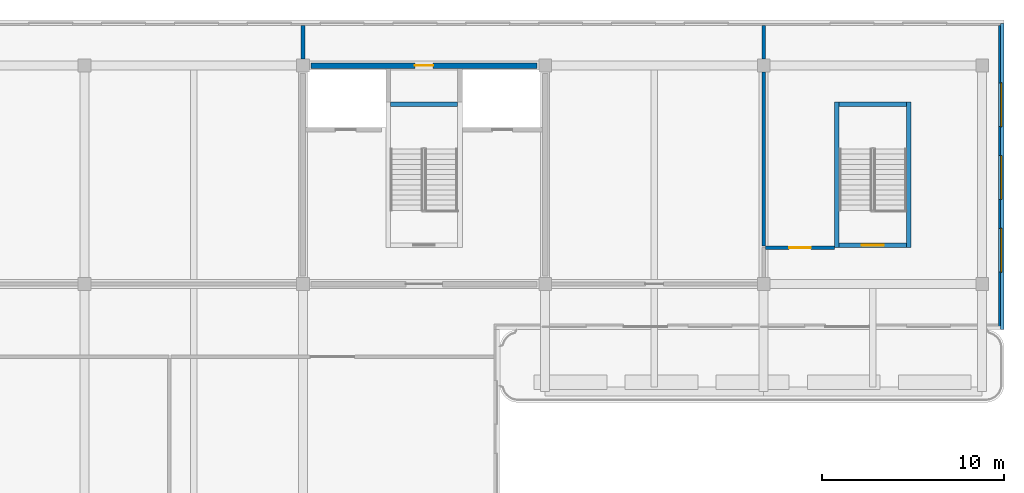
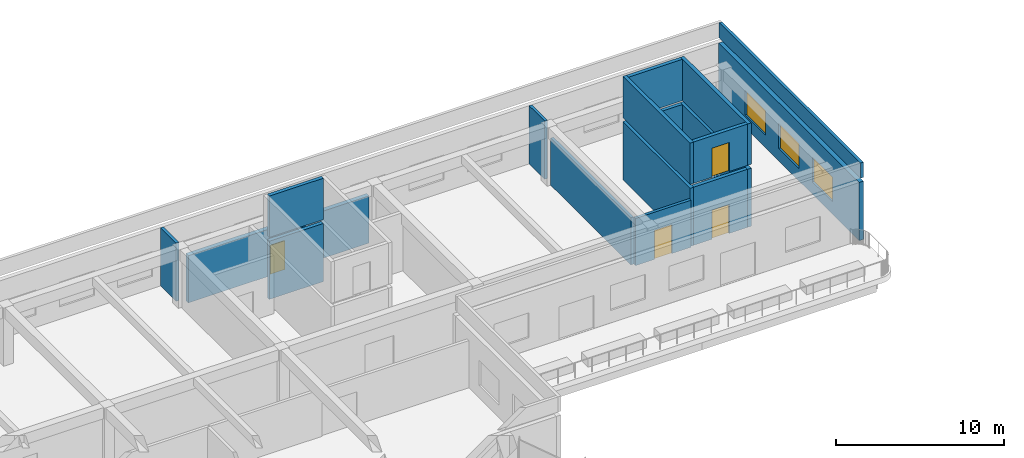
# One storey, part 25 of 35: 17 walls, 4 doors, 3 windows, 7 openings.
"""IFC4 building model written with IfcOpenShell, lengths in metres."""

from ifc_helpers import new_model, si_unit, direction, frame, frame_2d, origin, place, context, subcontext, project, spatial, rectangle, extrude, source, transform, mapped, material, layer, layer_set, type_object, element, fill, save


model = new_model("IFC4")

# Units and contexts
model_context = context("Model", 3, precision=1e-05, world=origin(), true_north=direction((0.0, 1.0)))
body_context = subcontext(model_context, "Body", "Model", "MODEL_VIEW")
ifc_project = project(units=[si_unit("LENGTHUNIT", "METRE"), si_unit("AREAUNIT", "SQUARE_METRE"), si_unit("VOLUMEUNIT", "CUBIC_METRE"), si_unit("PLANEANGLEUNIT", "RADIAN"), si_unit("MASSUNIT", "GRAM", prefix="KILO")], contexts=[model_context])

# Site, building, storey
site_placement = place(None, origin())
site = spatial("IfcSite", under=ifc_project, at=site_placement, CompositionType="ELEMENT")
building_placement = place(site_placement, origin())
building = spatial("IfcBuilding", under=site, at=building_placement, Name="Kilnfold Tower and Market Hall", CompositionType="ELEMENT")
storey_placement = place(building_placement, frame((0.0, 0.0, 22.5)))
storey = spatial("IfcBuildingStorey", under=building, at=storey_placement, Name="L04", CompositionType="ELEMENT", Elevation=22.5)

# Wall, opening, door
ifc_material_1 = material(Name="Concrete C50/60", Category="concrete")
ifc_layer_1 = layer(ifc_material_1, 0.25)
ifc_layer_set_1 = layer_set([ifc_layer_1], Name="Concrete C50/60")
wall_type_1 = type_object("IfcWallType", Name="HALL CORE WALL 250", PredefinedType="SHEAR", material=ifc_layer_set_1)
shared_shape_1 = source(origin(), body_context, "Body", "SweptSolid", [
    extrude(rectangle(XDim=3.699951171875, YDim=0.25, at=frame_2d((1.85009765625, 0.0))), origin(), (0.0, 0.0, 1.0), 4.219970703125),
])
wall_1_placement = place(storey_placement, frame((46.800048828125, 44.77490234375, 0.0), z_axis=(0.0, 0.0, 1.0), x_axis=(1.0, 0.0, 0.0)))
wall_1 = element("IfcWall", 1, at=wall_1_placement, inside=storey, type_object=wall_type_1, Name="Core wall MS6", PredefinedType="SHEAR", context=body_context, shape_type="MappedRepresentation", body=[
    mapped(shared_shape_1, transform((0.0, 0.0, 0.0))),
])
opening_1_placement = place(wall_1_placement, frame((1.25, 0.0, 0.0)))
opening_1 = element("IfcOpeningElement", 2, at=opening_1_placement, cuts=wall_1, Name="Opening MD9-60", PredefinedType="OPENING", context=body_context, shape_type="SweptSolid", body=[
    extrude(rectangle(XDim=1.199951171875, YDim=2.10009765625, at=frame_2d((0.60009765625, 1.050048828125))), frame((0.0, 0.135009765625, 0.0), z_axis=(0.0, -1.0, 0.0), x_axis=(1.0, 0.0, 0.0)), (0.0, 0.0, 1.0), 0.27001953125),
])
ifc_material_2 = material(Name="Steel S355", Category="steel")
door_type_1 = type_object("IfcDoorType", Name="HALL DOOR STAIR 1200X2100 FD60", OperationType="NOTDEFINED", PredefinedType="DOOR", material=ifc_material_2)
door_1_placement = place(opening_1_placement, origin())
door_1 = element("IfcDoor", 3, at=door_1_placement, inside=storey, type_object=door_type_1, Name="Door MD9-60", OperationType="DOUBLE_DOOR_SINGLE_SWING", OverallHeight=2.10009765625, OverallWidth=1.199951171875, PredefinedType="DOOR", context=body_context, shape_type="SweptSolid", body=[
    extrude(rectangle(XDim=1.199951171875, YDim=2.10009765625, at=frame_2d((0.60009765625, 1.050048828125))), frame((0.0, 0.02490234375, 0.0), z_axis=(0.0, -1.0, 0.0), x_axis=(1.0, 0.0, 0.0)), (0.0, 0.0, 1.0), 0.050048828125),
])
fill(opening_1, door_1)

# Walls
wall_2_placement = place(storey_placement, frame((46.800048828125, 52.52490234375, 0.0), z_axis=(0.0, 0.0, 1.0), x_axis=(1.0, 0.0, 0.0)))
element("IfcWall", 4, at=wall_2_placement, inside=storey, type_object=wall_type_1, Name="Core wall MS6", PredefinedType="SHEAR", context=body_context, shape_type="MappedRepresentation", body=[
    mapped(shared_shape_1, transform((0.0, 0.0, 0.0))),
])
shared_shape_2 = source(origin(), body_context, "Body", "SweptSolid", [
    extrude(rectangle(XDim=3.7001953125, YDim=0.25, at=frame_2d((1.85009765625, 0.0))), origin(), (0.0, 0.0, 1.0), 4.219970703125),
])
wall_3_placement = place(storey_placement, frame((25.85009765625, 52.52490234375, 0.0), z_axis=(0.0, 0.0, 1.0), x_axis=(-1.0, 0.0, 0.0)))
element("IfcWall", 5, at=wall_3_placement, inside=storey, type_object=wall_type_1, Name="Core wall MH3", PredefinedType="SHEAR", context=body_context, shape_type="MappedRepresentation", body=[
    mapped(shared_shape_2, transform((0.0, 0.0, 0.0))),
])
shared_shape_3 = source(origin(), body_context, "Body", "SweptSolid", [
    extrude(rectangle(XDim=8.0, YDim=0.25, at=frame_2d((4.0, 0.0))), origin(), (0.0, 0.0, 1.0), 4.219970703125),
])
for number, where, z_axis, x_axis, name in (
    (6, (46.675048828125, 44.64990234375, 0.0), (0.0, 0.0, 1.0), (0.0, 1.0, 0.0), "Core wall MS6"),
    (7, (50.625, 44.64990234375, 0.0), (0.0, 0.0, 1.0), (0.0, 1.0, 0.0), "Core wall MS6"),
):
    element("IfcWall", number, at=place(storey_placement, frame(where, z_axis=z_axis, x_axis=x_axis)), inside=storey, type_object=wall_type_1, Name=name, PredefinedType="SHEAR", context=body_context, shape_type="MappedRepresentation", body=[
        mapped(shared_shape_3, transform((0.0, 0.0, 0.0))),
    ])

# Wall, opening, door
ifc_material_3 = material(Name="Concrete C50/60", Category="concrete")
ifc_layer_2 = layer(ifc_material_3, 0.300048828125)
ifc_layer_set_2 = layer_set([ifc_layer_2], Name="Concrete C50/60")
wall_type_2 = type_object("IfcWallType", Name="HALL CORE WALL 300", PredefinedType="SHEAR", material=ifc_layer_set_2)
shared_shape_4 = source(origin(), body_context, "Body", "SweptSolid", [
    extrude(rectangle(XDim=12.39990234375, YDim=0.300048828125, at=frame_2d((6.199951171875, 0.0))), origin(), (0.0, 0.0, 1.0), 3.419921875),
])
wall_4_placement = place(storey_placement, frame((30.199951171875, 54.64990234375, 0.0), z_axis=(0.0, 0.0, 1.0), x_axis=(-1.0, 0.0, 0.0)))
wall_4 = element("IfcWall", 8, at=wall_4_placement, inside=storey, type_object=wall_type_2, Name="Core wall MH3", PredefinedType="SHEAR", context=body_context, shape_type="MappedRepresentation", body=[
    mapped(shared_shape_4, transform((0.0, 0.0, 0.0))),
])
opening_2_placement = place(wall_4_placement, frame((5.699951171875, 0.0, 0.0)))
opening_2 = element("IfcOpeningElement", 9, at=opening_2_placement, cuts=wall_4, Name="Opening MD4-60", PredefinedType="OPENING", context=body_context, shape_type="SweptSolid", body=[
    extrude(rectangle(XDim=1.0, YDim=2.10009765625, at=frame_2d((0.5, 1.050048828125))), frame((0.0, 0.16015625, 0.0), z_axis=(0.0, -1.0, 0.0), x_axis=(1.0, 0.0, 0.0)), (0.0, 0.0, 1.0), 0.320068359375),
])
ifc_material_4 = material(Name="Steel S355", Category="steel")
door_type_2 = type_object("IfcDoorType", Name="HALL DOOR RISER 1000X2100 FD60", OperationType="NOTDEFINED", PredefinedType="DOOR", material=ifc_material_4)
door_2_placement = place(opening_2_placement, origin())
door_2 = element("IfcDoor", 10, at=door_2_placement, inside=storey, type_object=door_type_2, Name="Door MD4-60", OperationType="SINGLE_SWING_RIGHT", OverallHeight=2.10009765625, OverallWidth=1.0, PredefinedType="DOOR", context=body_context, shape_type="SweptSolid", body=[
    extrude(rectangle(XDim=1.0, YDim=2.10009765625, at=frame_2d((0.5, 1.050048828125))), frame((0.0, 0.02490234375, 0.0), z_axis=(0.0, -1.0, 0.0), x_axis=(1.0, 0.0, 0.0)), (0.0, 0.0, 1.0), 0.050048828125),
])
fill(opening_2, door_2)

# Wall, openings, windows
ifc_material_5 = material(Name="Concrete blockwork", Category="masonry")
ifc_layer_3 = layer(ifc_material_5, 0.300048828125)
ifc_layer_set_3 = layer_set([ifc_layer_3], Name="Concrete blockwork")
wall_type_3 = type_object("IfcWallType", Name="HALL EXTERNAL WALL 300 EI 60", PredefinedType="SOLIDWALL", material=ifc_layer_set_3)
shared_shape_5 = source(origin(), body_context, "Body", "SweptSolid", [
    extrude(rectangle(XDim=16.7001953125, YDim=0.300048828125, at=frame_2d((8.35009765625, 0.0))), origin(), (0.0, 0.0, 1.0), 4.219970703125),
])
wall_5_placement = place(storey_placement, frame((55.699951171875, 56.85009765625, 0.0), z_axis=(0.0, 0.0, 1.0), x_axis=(0.0, -1.0, 0.0)))
wall_5 = element("IfcWall", 11, at=wall_5_placement, inside=storey, type_object=wall_type_3, Name="External wall MEW-L04.3", PredefinedType="SOLIDWALL", context=body_context, shape_type="MappedRepresentation", body=[
    mapped(shared_shape_5, transform((0.0, 0.0, 0.0))),
])
opening_3_placement = place(wall_5_placement, frame((3.14990234375, 0.0, 0.89990234375)))
opening_3 = element("IfcOpeningElement", 12, at=opening_3_placement, cuts=wall_5, Name="Opening MEN3", PredefinedType="OPENING", context=body_context, shape_type="SweptSolid", body=[
    extrude(rectangle(XDim=2.39990234375, YDim=1.800048828125, at=frame_2d((1.199951171875, 0.89990234375))), frame((0.0, 0.16015625, 0.0), z_axis=(0.0, -1.0, 0.0), x_axis=(1.0, 0.0, 0.0)), (0.0, 0.0, 1.0), 0.320068359375),
])
opening_4_placement = place(wall_5_placement, frame((7.14990234375, 0.0, 0.89990234375)))
opening_4 = element("IfcOpeningElement", 13, at=opening_4_placement, cuts=wall_5, Name="Opening MEN3", PredefinedType="OPENING", context=body_context, shape_type="SweptSolid", body=[
    extrude(rectangle(XDim=2.39990234375, YDim=1.800048828125, at=frame_2d((1.199951171875, 0.89990234375))), frame((0.0, 0.16015625, 0.0), z_axis=(0.0, -1.0, 0.0), x_axis=(1.0, 0.0, 0.0)), (0.0, 0.0, 1.0), 0.320068359375),
])
opening_5_placement = place(wall_5_placement, frame((11.14990234375, 0.0, 0.89990234375)))
opening_5 = element("IfcOpeningElement", 14, at=opening_5_placement, cuts=wall_5, Name="Opening MEN3", PredefinedType="OPENING", context=body_context, shape_type="SweptSolid", body=[
    extrude(rectangle(XDim=2.39990234375, YDim=1.800048828125, at=frame_2d((1.199951171875, 0.89990234375))), frame((0.0, 0.16015625, 0.0), z_axis=(0.0, -1.0, 0.0), x_axis=(1.0, 0.0, 0.0)), (0.0, 0.0, 1.0), 0.320068359375),
])
ifc_material_6 = material(Name="Aluminium glazing", Category="aluminium")
window_type = type_object("IfcWindowType", Name="HALL WINDOW 2400X1800", PartitioningType="SINGLE_PANEL", PredefinedType="WINDOW", material=ifc_material_6)
window_1_placement = place(opening_3_placement, origin())
window_1 = element("IfcWindow", 15, at=window_1_placement, inside=storey, type_object=window_type, Name="Window upper", OverallHeight=1.800048828125, OverallWidth=2.39990234375, PartitioningType="SINGLE_PANEL", PredefinedType="WINDOW", context=body_context, shape_type="SweptSolid", body=[
    extrude(rectangle(XDim=2.39990234375, YDim=1.800048828125, at=frame_2d((1.199951171875, 0.89990234375))), frame((0.0, 0.030029296875, 0.0), z_axis=(0.0, -1.0, 0.0), x_axis=(1.0, 0.0, 0.0)), (0.0, 0.0, 1.0), 0.06005859375),
])
fill(opening_3, window_1)
window_2_placement = place(opening_4_placement, origin())
window_2 = element("IfcWindow", 16, at=window_2_placement, inside=storey, type_object=window_type, Name="Window upper", OverallHeight=1.800048828125, OverallWidth=2.39990234375, PartitioningType="SINGLE_PANEL", PredefinedType="WINDOW", context=body_context, shape_type="SweptSolid", body=[
    extrude(rectangle(XDim=2.39990234375, YDim=1.800048828125, at=frame_2d((1.199951171875, 0.89990234375))), frame((0.0, 0.030029296875, 0.0), z_axis=(0.0, -1.0, 0.0), x_axis=(1.0, 0.0, 0.0)), (0.0, 0.0, 1.0), 0.06005859375),
])
fill(opening_4, window_2)
window_3_placement = place(opening_5_placement, origin())
window_3 = element("IfcWindow", 17, at=window_3_placement, inside=storey, type_object=window_type, Name="Window upper", OverallHeight=1.800048828125, OverallWidth=2.39990234375, PartitioningType="SINGLE_PANEL", PredefinedType="WINDOW", context=body_context, shape_type="SweptSolid", body=[
    extrude(rectangle(XDim=2.39990234375, YDim=1.800048828125, at=frame_2d((1.199951171875, 0.89990234375))), frame((0.0, 0.030029296875, 0.0), z_axis=(0.0, -1.0, 0.0), x_axis=(1.0, 0.0, 0.0)), (0.0, 0.0, 1.0), 0.06005859375),
])
fill(opening_5, window_3)

# Walls
ifc_material_7 = material(Name="Concrete C40/50", Category="concrete")
ifc_layer_4 = layer(ifc_material_7, 0.199951171875)
ifc_layer_set_4 = layer_set([ifc_layer_4], Name="Concrete C40/50")
wall_type_4 = type_object("IfcWallType", Name="HALL PARAPET 200", PredefinedType="PARAPET", material=ifc_layer_set_4)
shared_shape_6 = source(origin(), body_context, "Body", "SweptSolid", [
    extrude(rectangle(XDim=16.800048828125, YDim=0.199951171875, at=frame_2d((8.39990234375, 0.0))), origin(), (0.0, 0.0, 1.0), 1.10009765625),
])
wall_6_placement = place(storey_placement, frame((55.75, 56.949951171875, 4.5), z_axis=(0.0, 0.0, 1.0), x_axis=(0.0, -1.0, 0.0)))
element("IfcWall", 18, at=wall_6_placement, inside=storey, type_object=wall_type_4, Name="Roof parapet", PredefinedType="PARAPET", context=body_context, shape_type="MappedRepresentation", body=[
    mapped(shared_shape_6, transform((0.0, 0.0, 0.0))),
])
ifc_material_8 = material(Name="Concrete C50/60", Category="concrete")
ifc_layer_5 = layer(ifc_material_8, 0.25)
ifc_layer_set_5 = layer_set([ifc_layer_5], Name="Concrete C50/60")
wall_type_5 = type_object("IfcWallType", Name="HEADHOUSE WALL 250", PredefinedType="SOLIDWALL", material=ifc_layer_set_5)
shared_shape_7 = source(origin(), body_context, "Body", "SweptSolid", [
    extrude(rectangle(XDim=8.0, YDim=0.25, at=frame_2d((4.0, 0.0))), origin(), (0.0, 0.0, 1.0), 3.0),
])
for number, where, z_axis, x_axis, name in (
    (19, (46.675048828125, 44.64990234375, 4.5), (0.0, 0.0, 1.0), (0.0, 1.0, 0.0), "Stair head-house wall MS6"),
    (20, (50.625, 44.64990234375, 4.5), (0.0, 0.0, 1.0), (0.0, 1.0, 0.0), "Stair head-house wall MS6"),
):
    element("IfcWall", number, at=place(storey_placement, frame(where, z_axis=z_axis, x_axis=x_axis)), inside=storey, type_object=wall_type_5, Name=name, PredefinedType="SOLIDWALL", context=body_context, shape_type="MappedRepresentation", body=[
        mapped(shared_shape_7, transform((0.0, 0.0, 0.0))),
    ])

# Wall, opening, door
shared_shape_8 = source(origin(), body_context, "Body", "SweptSolid", [
    extrude(rectangle(XDim=3.699951171875, YDim=0.25, at=frame_2d((1.85009765625, 0.0))), origin(), (0.0, 0.0, 1.0), 3.0),
])
wall_7_placement = place(storey_placement, frame((46.800048828125, 44.77490234375, 4.5), z_axis=(0.0, 0.0, 1.0), x_axis=(1.0, 0.0, 0.0)))
wall_7 = element("IfcWall", 21, at=wall_7_placement, inside=storey, type_object=wall_type_5, Name="Stair head-house wall MS6", PredefinedType="SOLIDWALL", context=body_context, shape_type="MappedRepresentation", body=[
    mapped(shared_shape_8, transform((0.0, 0.0, 0.0))),
])
opening_6_placement = place(wall_7_placement, frame((1.25, 0.0, 0.0)))
opening_6 = element("IfcOpeningElement", 22, at=opening_6_placement, cuts=wall_7, Name="Opening MED4", PredefinedType="OPENING", context=body_context, shape_type="SweptSolid", body=[
    extrude(rectangle(XDim=1.199951171875, YDim=2.10009765625, at=frame_2d((0.60009765625, 1.050048828125))), frame((0.0, 0.135009765625, 0.0), z_axis=(0.0, -1.0, 0.0), x_axis=(1.0, 0.0, 0.0)), (0.0, 0.0, 1.0), 0.27001953125),
])
ifc_material_9 = material(Name="Steel S355", Category="steel")
door_type_3 = type_object("IfcDoorType", Name="HEADHOUSE DOOR 1200X2100 FD60", OperationType="NOTDEFINED", PredefinedType="DOOR", material=ifc_material_9)
door_3_placement = place(opening_6_placement, origin())
door_3 = element("IfcDoor", 23, at=door_3_placement, inside=storey, type_object=door_type_3, Name="Head-house door", OperationType="DOUBLE_DOOR_SINGLE_SWING", OverallHeight=2.10009765625, OverallWidth=1.199951171875, PredefinedType="DOOR", context=body_context, shape_type="SweptSolid", body=[
    extrude(rectangle(XDim=1.199951171875, YDim=2.10009765625, at=frame_2d((0.60009765625, 1.050048828125))), frame((0.0, 0.02490234375, 0.0), z_axis=(0.0, -1.0, 0.0), x_axis=(1.0, 0.0, 0.0)), (0.0, 0.0, 1.0), 0.050048828125),
])
fill(opening_6, door_3)

# Walls
wall_8_placement = place(storey_placement, frame((46.800048828125, 52.52490234375, 4.5), z_axis=(0.0, 0.0, 1.0), x_axis=(1.0, 0.0, 0.0)))
element("IfcWall", 24, at=wall_8_placement, inside=storey, type_object=wall_type_5, Name="Stair head-house wall MS6", PredefinedType="SOLIDWALL", context=body_context, shape_type="MappedRepresentation", body=[
    mapped(shared_shape_8, transform((0.0, 0.0, 0.0))),
])
shared_shape_9 = source(origin(), body_context, "Body", "SweptSolid", [
    extrude(rectangle(XDim=3.7001953125, YDim=0.25, at=frame_2d((1.85009765625, 0.0))), origin(), (0.0, 0.0, 1.0), 3.0),
])
wall_9_placement = place(storey_placement, frame((22.14990234375, 52.52490234375, 4.5), z_axis=(0.0, 0.0, 1.0), x_axis=(1.0, 0.0, 0.0)))
element("IfcWall", 25, at=wall_9_placement, inside=storey, type_object=wall_type_5, Name="Stair head-house wall MS5", PredefinedType="SOLIDWALL", context=body_context, shape_type="MappedRepresentation", body=[
    mapped(shared_shape_9, transform((0.0, 0.0, 0.0))),
])
ifc_material_10 = material(Name="Concrete blockwork", Category="masonry")
ifc_layer_6 = layer(ifc_material_10, 0.199951171875)
ifc_layer_set_6 = layer_set([ifc_layer_6], Name="Concrete blockwork")
wall_type_6 = type_object("IfcWallType", Name="HALL PARTITION 200 EI 60", PredefinedType="PARTITIONING", material=ifc_layer_set_6)
shared_shape_10 = source(origin(), body_context, "Body", "SweptSolid", [
    extrude(rectangle(XDim=1.85009765625, YDim=0.199951171875, at=frame_2d((0.925048828125, 0.0))), origin(), (0.0, 0.0, 1.0), 4.219970703125),
])
wall_10_placement = place(storey_placement, frame((17.35009765625, 56.85009765625, 0.0), z_axis=(0.0, 0.0, 1.0), x_axis=(0.0, -1.0, 0.0)))
element("IfcWall", 26, at=wall_10_placement, inside=storey, type_object=wall_type_6, Name="Partition W-MH-L04.42", PredefinedType="PARTITIONING", context=body_context, shape_type="MappedRepresentation", body=[
    mapped(shared_shape_10, transform((0.0, 0.0, 0.0))),
])
ifc_material_11 = material(Name="Concrete blockwork", Category="masonry")
ifc_layer_7 = layer(ifc_material_11, 0.199951171875)
ifc_layer_set_7 = layer_set([ifc_layer_7], Name="Concrete blockwork")
wall_type_7 = type_object("IfcWallType", Name="HALL PARTITION 200 EI 120", PredefinedType="PARTITIONING", material=ifc_layer_set_7)
wall_11_placement = place(storey_placement, frame((42.64990234375, 56.85009765625, 0.0), z_axis=(0.0, 0.0, 1.0), x_axis=(0.0, -1.0, 0.0)))
element("IfcWall", 27, at=wall_11_placement, inside=storey, type_object=wall_type_7, Name="Partition W-MH-L04.48", PredefinedType="PARTITIONING", context=body_context, shape_type="MappedRepresentation", body=[
    mapped(shared_shape_10, transform((0.0, 0.0, 0.0))),
])
shared_shape_11 = source(origin(), body_context, "Body", "SweptSolid", [
    extrude(rectangle(XDim=9.550048828125, YDim=0.199951171875, at=frame_2d((4.77490234375, 0.0))), origin(), (0.0, 0.0, 1.0), 3.419921875),
])
wall_12_placement = place(storey_placement, frame((42.64990234375, 54.300048828125, 0.0), z_axis=(0.0, 0.0, 1.0), x_axis=(0.0, -1.0, 0.0)))
element("IfcWall", 28, at=wall_12_placement, inside=storey, type_object=wall_type_7, Name="Partition W-MH-L04.47", PredefinedType="PARTITIONING", context=body_context, shape_type="MappedRepresentation", body=[
    mapped(shared_shape_11, transform((0.0, 0.0, 0.0))),
])

# Wall, opening, door
shared_shape_12 = source(origin(), body_context, "Body", "SweptSolid", [
    extrude(rectangle(XDim=3.800048828125, YDim=0.199951171875, at=frame_2d((1.89990234375, 0.0))), origin(), (0.0, 0.0, 1.0), 3.419921875),
])
wall_13_placement = place(storey_placement, frame((42.75, 44.64990234375, 0.0), z_axis=(0.0, 0.0, 1.0), x_axis=(1.0, 0.0, 0.0)))
wall_13 = element("IfcWall", 29, at=wall_13_placement, inside=storey, type_object=wall_type_7, Name="Partition W-MH-L04.46", PredefinedType="PARTITIONING", context=body_context, shape_type="MappedRepresentation", body=[
    mapped(shared_shape_12, transform((0.0, 0.0, 0.0))),
])
opening_7_placement = place(wall_13_placement, frame((1.300048828125, 0.0, 0.0)))
opening_7 = element("IfcOpeningElement", 30, at=opening_7_placement, cuts=wall_13, Name="Opening MD3-120", PredefinedType="OPENING", context=body_context, shape_type="SweptSolid", body=[
    extrude(rectangle(XDim=1.199951171875, YDim=2.10009765625, at=frame_2d((0.60009765625, 1.050048828125))), frame((0.0, 0.10986328125, 0.0), z_axis=(0.0, -1.0, 0.0), x_axis=(1.0, 0.0, 0.0)), (0.0, 0.0, 1.0), 0.219970703125),
])
ifc_material_12 = material(Name="Steel S355", Category="steel")
door_type_4 = type_object("IfcDoorType", Name="HALL DOOR SERVICE 1200X2100 FD120", OperationType="NOTDEFINED", PredefinedType="DOOR", material=ifc_material_12)
door_4_placement = place(opening_7_placement, origin())
door_4 = element("IfcDoor", 31, at=door_4_placement, inside=storey, type_object=door_type_4, Name="Door MD3-120", OperationType="SINGLE_SWING_RIGHT", OverallHeight=2.10009765625, OverallWidth=1.199951171875, PredefinedType="DOOR", context=body_context, shape_type="SweptSolid", body=[
    extrude(rectangle(XDim=1.199951171875, YDim=2.10009765625, at=frame_2d((0.60009765625, 1.050048828125))), frame((0.0, 0.02490234375, 0.0), z_axis=(0.0, -1.0, 0.0), x_axis=(1.0, 0.0, 0.0)), (0.0, 0.0, 1.0), 0.050048828125),
])
fill(opening_7, door_4)

save(model, "model.ifc")
